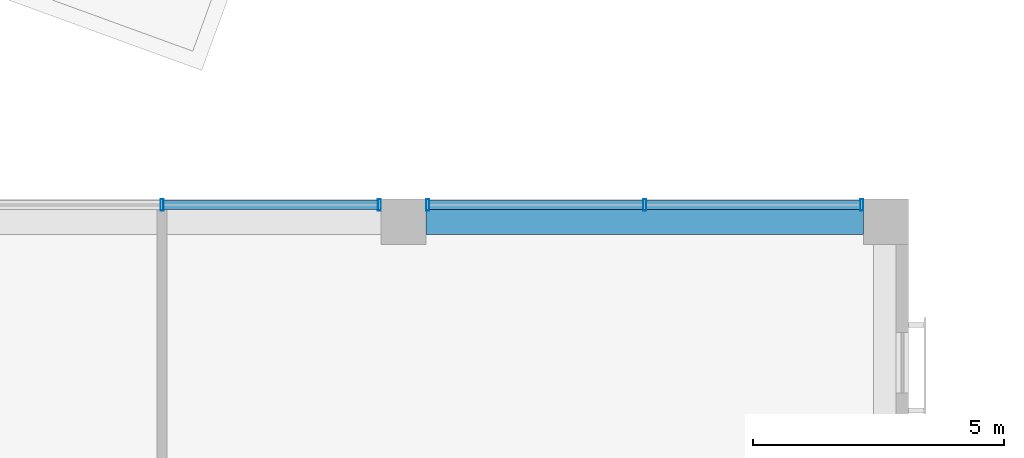
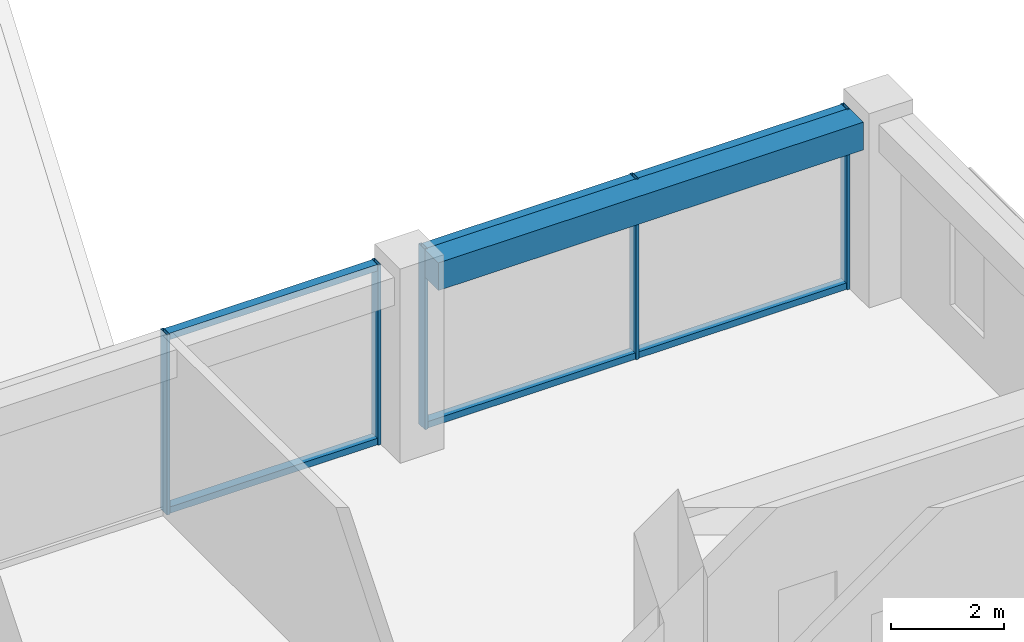
# One storey, part 24 of 36: 11 members, 1 beam, 2 elements without a shape of their own.
"""IFC4 building model written with IfcOpenShell, lengths in metres."""

from ifc_helpers import new_model, si_unit, direction, frame, origin, origin_2d, place, context, subcontext, project, spatial, rectangle, hollow_rectangle, extrude, material, layer, layer_set, material_profile, profile_set, type_object, element, aggregate, save


model = new_model("IFC4")

# Units and contexts
model_context = context("Model", 3, precision=1e-05, world=origin(), true_north=direction((0.0, 1.0)))
body_context = subcontext(model_context, "Body", "Model", "MODEL_VIEW")
ifc_project = project(units=[si_unit("LENGTHUNIT", "METRE"), si_unit("AREAUNIT", "SQUARE_METRE"), si_unit("VOLUMEUNIT", "CUBIC_METRE"), si_unit("PLANEANGLEUNIT", "RADIAN"), si_unit("MASSUNIT", "GRAM", prefix="KILO")], contexts=[model_context])

# Site, building, storey
site_placement = place(None, origin())
site = spatial("IfcSite", under=ifc_project, at=site_placement, CompositionType="ELEMENT")
building_placement = place(site_placement, origin())
building = spatial("IfcBuilding", under=site, at=building_placement, Name="Nzadi Deep Aquarium and Research Tower", CompositionType="ELEMENT")
storey_placement = place(building_placement, frame((0.0, 0.0, 40.300048828125)))
storey = spatial("IfcBuildingStorey", under=building, at=storey_placement, Name="L07", CompositionType="ELEMENT", Elevation=40.300048828125)

# Curtain wall, members
ifc_material_1 = material(Name="Aluminium unitised frame deep", Category="aluminium")
ifc_layer = layer(ifc_material_1, 0.22509765625)
ifc_layer_set = layer_set([ifc_layer], Name="Aluminium unitised frame deep")
curtain_wall_type = type_object("IfcCurtainWallType", Name="Curtain wall Unitised Deep 225", PredefinedType="NOTDEFINED", material=ifc_layer_set)
curtain_wall_1_placement = place(storey_placement, origin())
curtain_wall_1 = element("IfcCurtainWall", 1, at=curtain_wall_1_placement, inside=storey, type_object=curtain_wall_type, Name="Unitised curtain wall blade B north L07", PredefinedType="NOTDEFINED")
ifc_material_2 = material(Name="Aluminium unitised frame deep", Category="aluminium")
ifc_material_profile_1 = material_profile(ifc_material_2, hollow_rectangle(XDim=0.22509765625, YDim=0.06005859375, WallThickness=0.0048828125, at=origin_2d()))
ifc_profile_set_1 = profile_set([ifc_material_profile_1], Name="Aluminium unitised frame deep")
member_type_1 = type_object("IfcMemberType", Name="Mullion 60x225 Unitised Deep", PredefinedType="MULLION", material=ifc_profile_set_1)
member_1_placement = place(storey_placement, frame((33.60009765625, 46.33740234375, 0.0), z_axis=(0.0, 0.0, 1.0), x_axis=(0.0, 1.0, 0.0)))
member_1 = element("IfcMember", 2, at=member_1_placement, type_object=member_type_1, Name="CW106 mullion 2", PredefinedType="MULLION", context=body_context, shape_type="SweptSolid", body=[
    extrude(hollow_rectangle(XDim=0.22509765625, YDim=0.06005859375, WallThickness=0.0048828125, at=origin_2d()), origin(), (0.0, 0.0, 1.0), 3.89990234375),
])
member_2_placement = place(storey_placement, frame((37.919921875, 46.33740234375, 0.0), z_axis=(0.0, 0.0, 1.0), x_axis=(0.0, 1.0, 0.0)))
member_2 = element("IfcMember", 3, at=member_2_placement, type_object=member_type_1, Name="CW106 mullion 3", PredefinedType="MULLION", context=body_context, shape_type="SweptSolid", body=[
    extrude(hollow_rectangle(XDim=0.22509765625, YDim=0.06005859375, WallThickness=0.0048828125, at=origin_2d()), origin(), (0.0, 0.0, 1.0), 3.89990234375),
])

curtain_wall_2_placement = place(storey_placement, origin())
curtain_wall_2 = element("IfcCurtainWall", 4, at=curtain_wall_2_placement, inside=storey, type_object=curtain_wall_type, Name="Unitised curtain wall blade B north L07", PredefinedType="NOTDEFINED")
member_3_placement = place(storey_placement, frame((38.8798828125, 46.33740234375, 0.0), z_axis=(0.0, 0.0, 1.0), x_axis=(0.0, 1.0, 0.0)))
member_3 = element("IfcMember", 5, at=member_3_placement, type_object=member_type_1, Name="CW107 mullion 1", PredefinedType="MULLION", context=body_context, shape_type="SweptSolid", body=[
    extrude(hollow_rectangle(XDim=0.22509765625, YDim=0.06005859375, WallThickness=0.0048828125, at=origin_2d()), origin(), (0.0, 0.0, 1.0), 3.89990234375),
])
member_4_placement = place(storey_placement, frame((43.199951171875, 46.33740234375, 0.0), z_axis=(0.0, 0.0, 1.0), x_axis=(0.0, 1.0, 0.0)))
member_4 = element("IfcMember", 6, at=member_4_placement, type_object=member_type_1, Name="CW107 mullion 2", PredefinedType="MULLION", context=body_context, shape_type="SweptSolid", body=[
    extrude(hollow_rectangle(XDim=0.22509765625, YDim=0.06005859375, WallThickness=0.0048828125, at=origin_2d()), origin(), (0.0, 0.0, 1.0), 3.89990234375),
])
member_5_placement = place(storey_placement, frame((47.52001953125, 46.33740234375, 0.0), z_axis=(0.0, 0.0, 1.0), x_axis=(0.0, 1.0, 0.0)))
member_5 = element("IfcMember", 7, at=member_5_placement, type_object=member_type_1, Name="CW107 mullion 3", PredefinedType="MULLION", context=body_context, shape_type="SweptSolid", body=[
    extrude(hollow_rectangle(XDim=0.22509765625, YDim=0.06005859375, WallThickness=0.0048828125, at=origin_2d()), origin(), (0.0, 0.0, 1.0), 3.89990234375),
])

# Beam
ifc_material_3 = material(Name="Concrete C35/45", Category="concrete")
ifc_material_profile_2 = material_profile(ifc_material_3, rectangle(XDim=0.5, YDim=0.60009765625, at=origin_2d()))
ifc_profile_set_2 = profile_set([ifc_material_profile_2], Name="Concrete C35/45")
beam_type = type_object("IfcBeamType", Name="RC 500x600", PredefinedType="BEAM", material=ifc_profile_set_2)
beam_placement = place(storey_placement, frame((38.85009765625, 46.0, 3.599853515625), z_axis=(1.0, 0.0, 0.0), x_axis=(0.0, 1.0, 0.0)))
element("IfcBeam", 8, at=beam_placement, inside=storey, type_object=beam_type, Name="B-Z1-L07-L6-5", PredefinedType="BEAM", context=body_context, shape_type="SweptSolid", body=[
    extrude(rectangle(XDim=0.5, YDim=0.60009765625, at=origin_2d()), origin(), (0.0, 0.0, 1.0), 8.699951171875),
])

# Member
ifc_material_4 = material(Name="Aluminium unitised frame deep", Category="aluminium")
ifc_material_profile_3 = material_profile(ifc_material_4, hollow_rectangle(XDim=0.179931640625, YDim=0.139892578125, WallThickness=0.0048828125, at=origin_2d()))
ifc_profile_set_3 = profile_set([ifc_material_profile_3], Name="Aluminium unitised frame deep")
member_type_2 = type_object("IfcMemberType", Name="Transom 140x180 Unitised Deep", PredefinedType="MULLION", material=ifc_profile_set_3)
member_6_placement = place(storey_placement, frame((33.6298828125, 46.33740234375, 0.070068359375), z_axis=(1.0, 0.0, 0.0), x_axis=(0.0, 1.0, 0.0)))
member_6 = element("IfcMember", 9, at=member_6_placement, type_object=member_type_2, Name="CW106 transom 2.1", PredefinedType="MULLION", context=body_context, shape_type="SweptSolid", body=[
    extrude(hollow_rectangle(XDim=0.179931640625, YDim=0.139892578125, WallThickness=0.0048828125, at=origin_2d()), origin(), (0.0, 0.0, 1.0), 4.260009765625),
])

member_7_placement = place(storey_placement, frame((33.6298828125, 46.33740234375, 3.829833984375), z_axis=(1.0, 0.0, 0.0), x_axis=(0.0, 1.0, 0.0)))
member_7 = element("IfcMember", 10, at=member_7_placement, type_object=member_type_2, Name="CW106 transom 2.2", PredefinedType="MULLION", context=body_context, shape_type="SweptSolid", body=[
    extrude(hollow_rectangle(XDim=0.179931640625, YDim=0.139892578125, WallThickness=0.0048828125, at=origin_2d()), origin(), (0.0, 0.0, 1.0), 4.260009765625),
])

aggregate(curtain_wall_1, [member_1, member_2, member_6, member_7])

member_8_placement = place(storey_placement, frame((38.909912109375, 46.33740234375, 0.070068359375), z_axis=(1.0, 0.0, 0.0), x_axis=(0.0, 1.0, 0.0)))
member_8 = element("IfcMember", 11, at=member_8_placement, type_object=member_type_2, Name="CW107 transom 1.1", PredefinedType="MULLION", context=body_context, shape_type="SweptSolid", body=[
    extrude(hollow_rectangle(XDim=0.179931640625, YDim=0.139892578125, WallThickness=0.0048828125, at=origin_2d()), origin(), (0.0, 0.0, 1.0), 4.260009765625),
])

member_9_placement = place(storey_placement, frame((38.909912109375, 46.33740234375, 3.829833984375), z_axis=(1.0, 0.0, 0.0), x_axis=(0.0, 1.0, 0.0)))
member_9 = element("IfcMember", 12, at=member_9_placement, type_object=member_type_2, Name="CW107 transom 1.2", PredefinedType="MULLION", context=body_context, shape_type="SweptSolid", body=[
    extrude(hollow_rectangle(XDim=0.179931640625, YDim=0.139892578125, WallThickness=0.0048828125, at=origin_2d()), origin(), (0.0, 0.0, 1.0), 4.260009765625),
])

member_10_placement = place(storey_placement, frame((43.22998046875, 46.33740234375, 0.070068359375), z_axis=(1.0, 0.0, 0.0), x_axis=(0.0, 1.0, 0.0)))
member_10 = element("IfcMember", 13, at=member_10_placement, type_object=member_type_2, Name="CW107 transom 2.1", PredefinedType="MULLION", context=body_context, shape_type="SweptSolid", body=[
    extrude(hollow_rectangle(XDim=0.179931640625, YDim=0.139892578125, WallThickness=0.0048828125, at=origin_2d()), origin(), (0.0, 0.0, 1.0), 4.260009765625),
])

member_11_placement = place(storey_placement, frame((43.22998046875, 46.33740234375, 3.829833984375), z_axis=(1.0, 0.0, 0.0), x_axis=(0.0, 1.0, 0.0)))
member_11 = element("IfcMember", 14, at=member_11_placement, type_object=member_type_2, Name="CW107 transom 2.2", PredefinedType="MULLION", context=body_context, shape_type="SweptSolid", body=[
    extrude(hollow_rectangle(XDim=0.179931640625, YDim=0.139892578125, WallThickness=0.0048828125, at=origin_2d()), origin(), (0.0, 0.0, 1.0), 4.260009765625),
])

aggregate(curtain_wall_2, [member_3, member_4, member_5, member_8, member_9, member_10, member_11])

save(model, "model.ifc")
